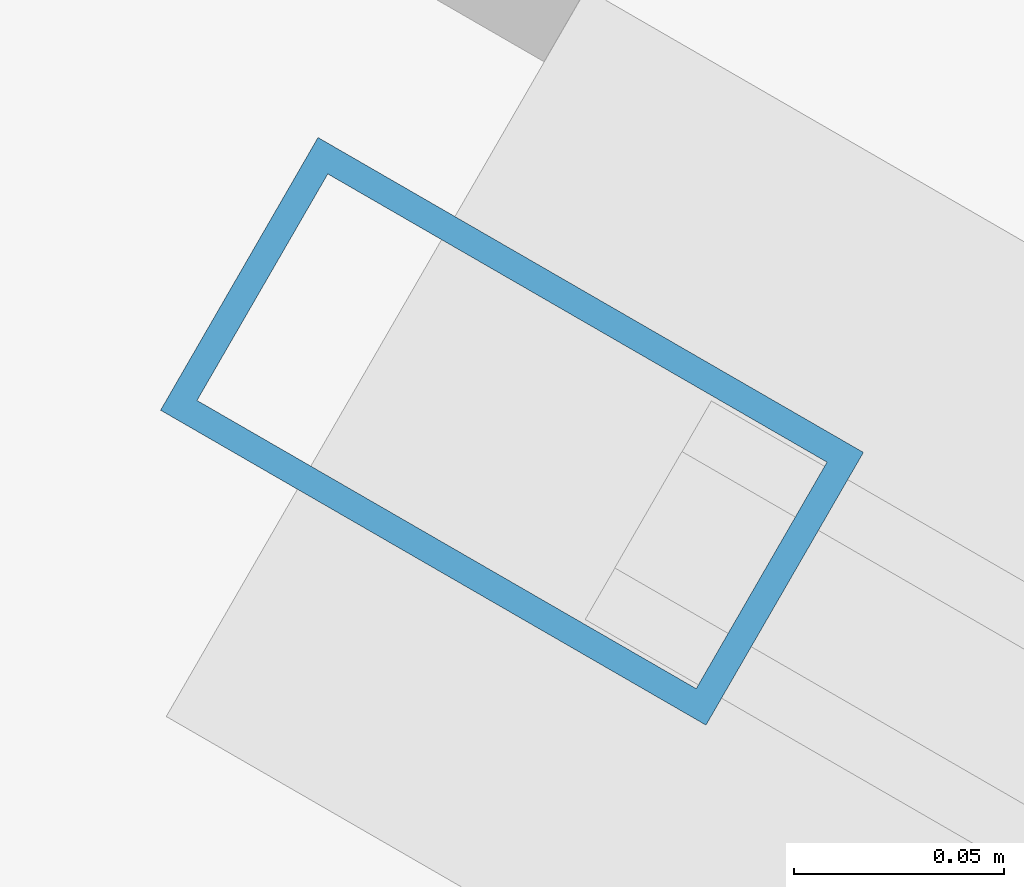
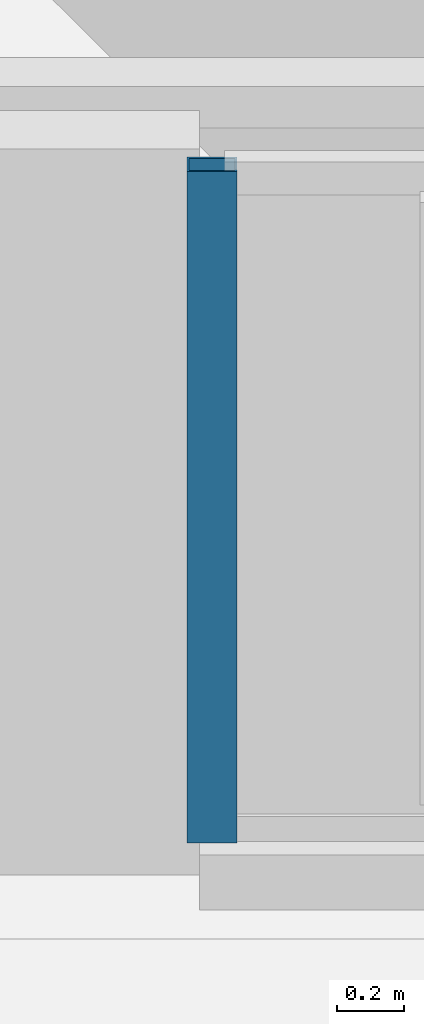
# One storey, part 4 of 18: 1 member, 1 element without a shape of its own.
"""IFC4 building model written with IfcOpenShell, lengths in metres."""

from ifc_helpers import new_model, si_unit, direction, frame, origin, origin_2d, place, context, subcontext, project, spatial, hollow_rectangle, extrude, material, layer, layer_set, material_profile, profile_set, type_object, element, aggregate, save


model = new_model("IFC4")

# Units and contexts
model_context = context("Model", 3, precision=1e-05, world=origin(), true_north=direction((0.0, 1.0)))
body_context = subcontext(model_context, "Body", "Model", "MODEL_VIEW")
ifc_project = project(units=[si_unit("LENGTHUNIT", "METRE"), si_unit("AREAUNIT", "SQUARE_METRE"), si_unit("VOLUMEUNIT", "CUBIC_METRE"), si_unit("PLANEANGLEUNIT", "RADIAN"), si_unit("MASSUNIT", "GRAM", prefix="KILO")], contexts=[model_context])

# Site, building, storey
site_placement = place(None, origin())
site = spatial("IfcSite", under=ifc_project, at=site_placement, CompositionType="ELEMENT")
building_placement = place(site_placement, origin())
building = spatial("IfcBuilding", under=site, at=building_placement, Name="Mersakhor Tower and Convention Hall", CompositionType="ELEMENT")
storey_placement = place(building_placement, frame((0.0, 0.0, 246.300048828125)))
storey = spatial("IfcBuildingStorey", under=building, at=storey_placement, Name="L69", CompositionType="ELEMENT", Elevation=246.300048828125)

# Curtain wall, member
ifc_material_1 = material(Name="Dark solar low-E aluminium curtain wall", Category="aluminium")
ifc_layer = layer(ifc_material_1, 0.179931640625)
ifc_layer_set = layer_set([ifc_layer], Name="Dark solar low-E aluminium curtain wall")
curtain_wall_type = type_object("IfcCurtainWallType", Name="CW-SYS-03", PredefinedType="USERDEFINED", material=ifc_layer_set)
curtain_wall_placement = place(storey_placement, origin())
curtain_wall = element("IfcCurtainWall", 1, at=curtain_wall_placement, inside=storey, type_object=curtain_wall_type, Name="L69 Dark-Glass Curtain Wall F3-B2", ObjectType="CURTAIN WALL", PredefinedType="USERDEFINED")
ifc_material_2 = material(Name="Anodised aluminium EN AW-6063 T6", Category="aluminium")
ifc_material_profile = material_profile(ifc_material_2, hollow_rectangle(XDim=0.074951171875, YDim=0.14990234375, WallThickness=0.00634765625, at=origin_2d()), Name="RHS 150x75x6.3")
ifc_profile_set = profile_set([ifc_material_profile], Name="Anodised aluminium EN AW-6063 T6")
member_type = type_object("IfcMemberType", Name="CWM-150x75", PredefinedType="MULLION", material=ifc_profile_set)
member_placement = place(storey_placement, frame((20.098388671875, 19.484619140625, 0.199951171875), z_axis=(0.0, 0.0, 1.0), x_axis=(-0.500004411169, -0.86602285698, 0.0)))
member = element("IfcMember", 2, at=member_placement, type_object=member_type, Name="CW-03 mullion 3", PredefinedType="MULLION", context=body_context, shape_type="SweptSolid", body=[
    extrude(hollow_rectangle(XDim=0.074951171875, YDim=0.14990234375, WallThickness=0.00634765625, at=origin_2d()), origin(), (0.0, 0.0, 1.0), 2.43994140625),
])
aggregate(curtain_wall, [member])

save(model, "model.ifc")
